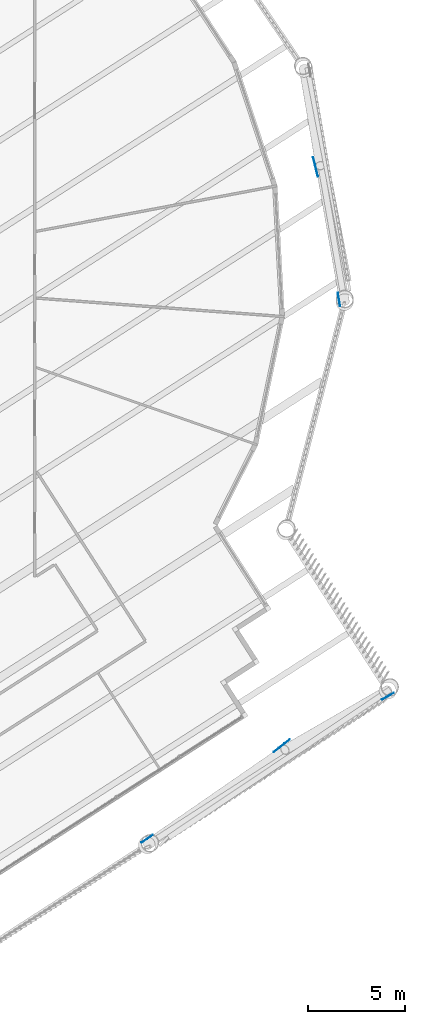
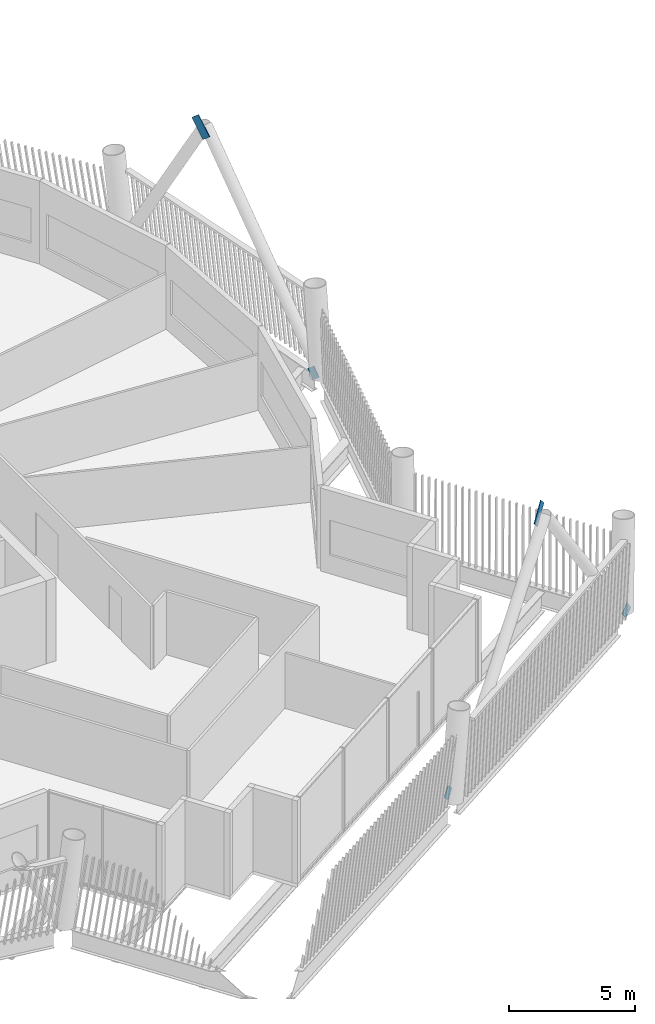
# One storey, part 23 of 35: 5 discrete accessories.
"""IFC4 building model written with IfcOpenShell, lengths in metres."""

from ifc_helpers import new_model, si_unit, direction, frame, origin, origin_2d, place, context, subcontext, project, spatial, rectangle, extrude, material, material_profile, profile_set, type_object, element, save


model = new_model("IFC4")

# Units and contexts
model_context = context("Model", 3, precision=1e-05, world=origin(), true_north=direction((0.0, 1.0)))
body_context = subcontext(model_context, "Body", "Model", "MODEL_VIEW")
ifc_project = project(units=[si_unit("LENGTHUNIT", "METRE"), si_unit("AREAUNIT", "SQUARE_METRE"), si_unit("VOLUMEUNIT", "CUBIC_METRE"), si_unit("PLANEANGLEUNIT", "RADIAN"), si_unit("MASSUNIT", "GRAM", prefix="KILO")], contexts=[model_context])

# Site, building, storey
site_placement = place(None, origin())
site = spatial("IfcSite", under=ifc_project, at=site_placement, CompositionType="ELEMENT")
building_placement = place(site_placement, origin())
building = spatial("IfcBuilding", under=site, at=building_placement, Name="Tarsis Ring Headquarters", CompositionType="ELEMENT")
storey_placement = place(building_placement, frame((0.0, 0.0, 360.800048828125)))
storey = spatial("IfcBuildingStorey", under=building, at=storey_placement, Name="L85", CompositionType="ELEMENT", Elevation=360.800048828125)

# Discrete accessories
ifc_material = material(Name="Structural steel S355", Category="steel")
ifc_material_profile = material_profile(ifc_material, rectangle(XDim=0.02490234375, YDim=0.5, at=origin_2d()), Name="PL 25x500")
ifc_profile_set = profile_set([ifc_material_profile], Name="Structural steel S355")
discrete_accessory_type = type_object("IfcDiscreteAccessoryType", Name="Gusset plate Exo brace 25", PredefinedType="BRACKET", material=ifc_profile_set)
discrete_accessory_1_placement = place(storey_placement, frame((18.6591796875, -29.058837890625, 0.0), z_axis=(0.590550449648, 0.408354157077, 0.69605822229), x_axis=(-0.568749991465, 0.822510454164, 0.0)))
element("IfcDiscreteAccessory", 1, at=discrete_accessory_1_placement, inside=storey, type_object=discrete_accessory_type, Name="Gusset plate GP5", PredefinedType="BRACKET", context=body_context, shape_type="SweptSolid", body=[
    extrude(rectangle(XDim=0.02490234375, YDim=0.5, at=origin_2d()), origin(), (0.0, 0.0, 1.0), 0.499755859375),
])
discrete_accessory_2_placement = place(storey_placement, frame((25.490478515625, -24.36767578125, 8.052001953125), z_axis=(0.562061152321, 0.447060803606, 0.695861982674), x_axis=(-0.622495171379, 0.782623639823, 0.0)))
element("IfcDiscreteAccessory", 2, at=discrete_accessory_2_placement, inside=storey, type_object=discrete_accessory_type, Name="Gusset plate GP5", PredefinedType="BRACKET", context=body_context, shape_type="SweptSolid", body=[
    extrude(rectangle(XDim=0.02490234375, YDim=0.5, at=origin_2d()), origin(), (0.0, 0.0, 1.0), 1.0),
])
discrete_accessory_3_placement = place(storey_placement, frame((31.3955078125, -21.5087890625, 0.0), z_axis=(-0.511771890695, -0.295440833846, 0.806724392584), x_axis=(0.499960902066, -0.86604797581, 0.0)))
element("IfcDiscreteAccessory", 3, at=discrete_accessory_3_placement, inside=storey, type_object=discrete_accessory_type, Name="Gusset plate GP5", PredefinedType="BRACKET", context=body_context, shape_type="SweptSolid", body=[
    extrude(rectangle(XDim=0.02490234375, YDim=0.5, at=origin_2d()), origin(), (0.0, 0.0, 1.0), 0.5),
])
discrete_accessory_4_placement = place(storey_placement, frame((28.762451171875, -1.2158203125, 0.0), z_axis=(-0.112822736461, 0.638352019716, 0.761431368583), x_axis=(-0.984738015625, -0.174043214697, 0.0)))
element("IfcDiscreteAccessory", 4, at=discrete_accessory_4_placement, inside=storey, type_object=discrete_accessory_type, Name="Gusset plate GP5", PredefinedType="BRACKET", context=body_context, shape_type="SweptSolid", body=[
    extrude(rectangle(XDim=0.02490234375, YDim=0.5, at=origin_2d()), origin(), (0.0, 0.0, 1.0), 0.499755859375),
])
discrete_accessory_5_placement = place(storey_placement, frame((27.599853515625, 5.497802734375, 8.019287109375), z_axis=(-0.155509616176, 0.629606436605, 0.761191496446), x_axis=(-0.970825054248, -0.239788894748, 0.0)))
element("IfcDiscreteAccessory", 5, at=discrete_accessory_5_placement, inside=storey, type_object=discrete_accessory_type, Name="Gusset plate GP5", PredefinedType="BRACKET", context=body_context, shape_type="SweptSolid", body=[
    extrude(rectangle(XDim=0.02490234375, YDim=0.5, at=origin_2d()), origin(), (0.0, 0.0, 1.0), 1.0),
])

save(model, "model.ifc")
